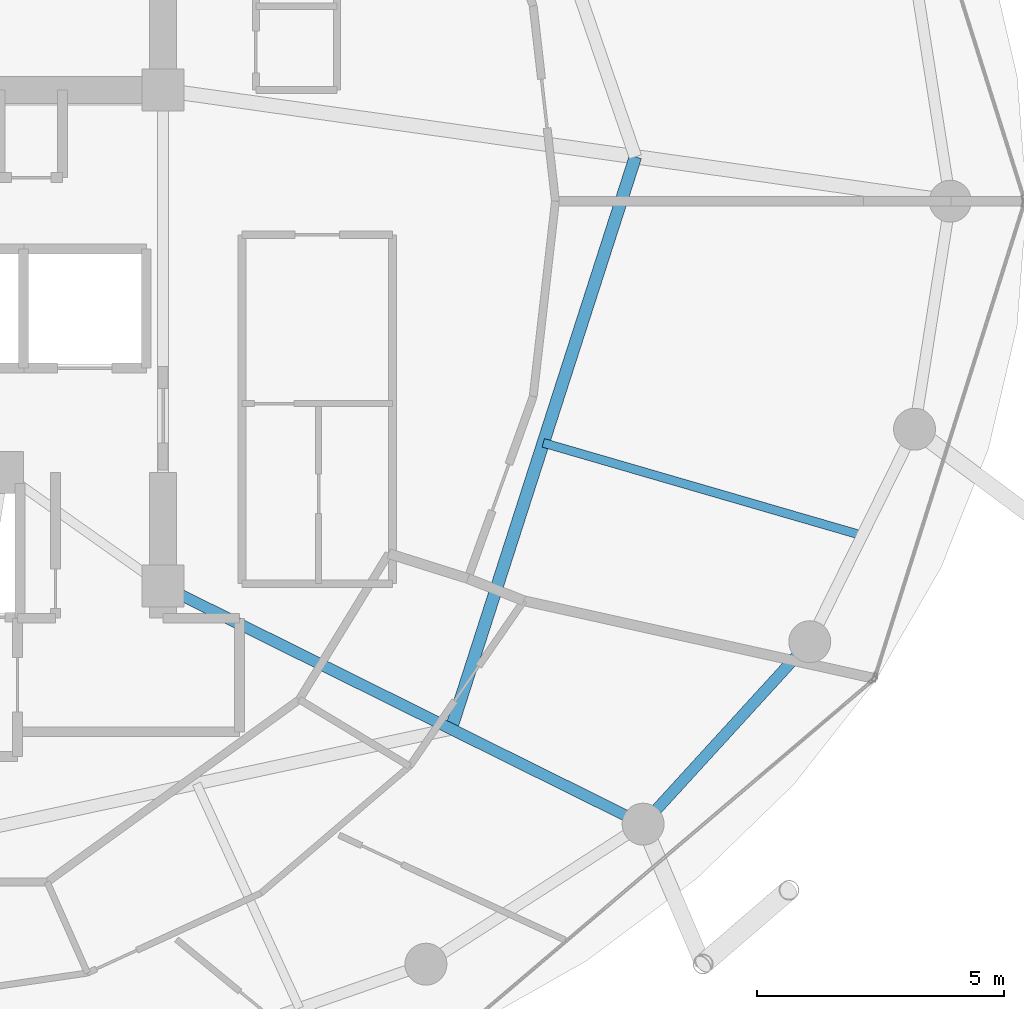
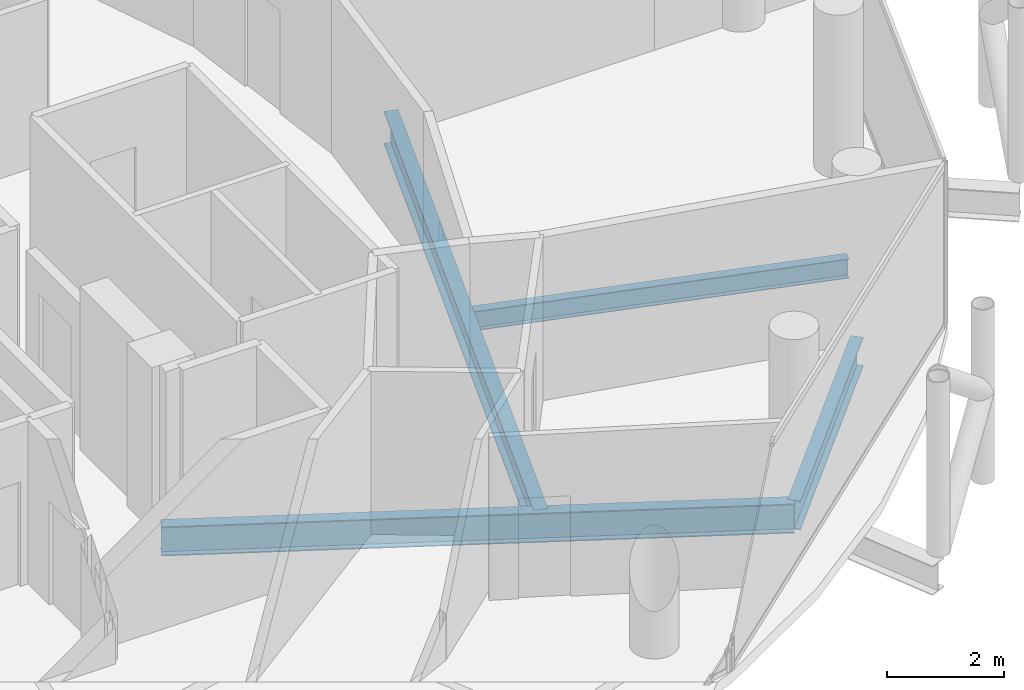
# One storey, part 12 of 27: 4 beams.
"""IFC4 building model written with IfcOpenShell, lengths in metres."""

from ifc_helpers import new_model, si_unit, direction, frame, origin, origin_2d, place, context, subcontext, project, spatial, i_section, extrude, material, material_profile, profile_set, type_object, element, save


model = new_model("IFC4")

# Units and contexts
model_context = context("Model", 3, precision=1e-05, world=origin(), true_north=direction((0.0, 1.0)))
body_context = subcontext(model_context, "Body", "Model", "MODEL_VIEW")
ifc_project = project(units=[si_unit("LENGTHUNIT", "METRE"), si_unit("AREAUNIT", "SQUARE_METRE"), si_unit("VOLUMEUNIT", "CUBIC_METRE"), si_unit("PLANEANGLEUNIT", "RADIAN"), si_unit("MASSUNIT", "GRAM", prefix="KILO")], contexts=[model_context])

# Site, building, storey
site_placement = place(None, origin())
site = spatial("IfcSite", under=ifc_project, at=site_placement, CompositionType="ELEMENT")
building_placement = place(site_placement, origin())
building = spatial("IfcBuilding", under=site, at=building_placement, Name="Nuhasar Tower", CompositionType="ELEMENT")
storey_placement = place(building_placement, frame((0.0, 0.0, 230.050048828125)))
storey = spatial("IfcBuildingStorey", under=building, at=storey_placement, Name="L56", CompositionType="ELEMENT", Elevation=230.050048828125)

# Beams
ifc_material = material(Name="Steel S355", Category="steel")
ifc_material_profile_1 = material_profile(ifc_material, i_section(OverallWidth=0.25390625, OverallDepth=0.68408203125, WebThickness=0.012451171875, FlangeThickness=0.018798828125, at=origin_2d()), Name="W27X94")
ifc_profile_set_1 = profile_set([ifc_material_profile_1], Name="Steel S355")
beam_type_1 = type_object("IfcBeamType", Name="BM-INRING-W27X94", PredefinedType="BEAM", material=ifc_profile_set_1)
beam_1_placement = place(storey_placement, frame((50.135986328125, 16.10693359375, -0.58203125), z_axis=(0.306589852134, 0.951841721385, 0.0), x_axis=(-0.951841721385, 0.306589852134, 0.0)))
element("IfcBeam", 1, at=beam_1_placement, inside=storey, type_object=beam_type_1, Name="L56 Inner Header Beam 03", PredefinedType="BEAM", context=body_context, shape_type="SweptSolid", body=[
    extrude(i_section(OverallWidth=0.25390625, OverallDepth=0.68408203125, WebThickness=0.012451171875, FlangeThickness=0.018798828125, at=origin_2d()), origin(), (0.0, 0.0, 1.0), 12.179443359375),
])
ifc_material_profile_2 = material_profile(ifc_material, i_section(OverallWidth=0.177978515625, OverallDepth=0.406005859375, WebThickness=0.0078125, FlangeThickness=0.0126953125, at=origin_2d()), Name="W16X40")
ifc_profile_set_2 = profile_set([ifc_material_profile_2], Name="Steel S355")
beam_type_2 = type_object("IfcBeamType", Name="BM-JST-W16X40", PredefinedType="JOIST", material=ifc_profile_set_2)
beam_2_placement = place(storey_placement, frame((52.0029296875, 21.904052734375, -0.443115234375), z_axis=(0.960312689798, -0.27892568511, 0.0), x_axis=(0.27892568511, 0.960312689798, 0.0)))
element("IfcBeam", 2, at=beam_2_placement, inside=storey, type_object=beam_type_2, Name="L56 Secondary Floor Joist 03", PredefinedType="JOIST", context=body_context, shape_type="SweptSolid", body=[
    extrude(i_section(OverallWidth=0.177978515625, OverallDepth=0.406005859375, WebThickness=0.0078125, FlangeThickness=0.0126953125, at=origin_2d()), origin(), (0.0, 0.0, 1.0), 6.729248046875),
])
ifc_material_profile_3 = material_profile(ifc_material, i_section(OverallWidth=0.22900390625, OverallDepth=0.612060546875, WebThickness=0.011962890625, FlangeThickness=0.01953125, at=origin_2d()), Name="W24X84")
ifc_profile_set_3 = profile_set([ifc_material_profile_3], Name="Steel S355")
beam_type_3 = type_object("IfcBeamType", Name="BM-RAD-W24X84", PredefinedType="BEAM", material=ifc_profile_set_3)
beam_3_placement = place(storey_placement, frame((44.300048828125, 19.0, -0.546142578125), z_axis=(0.895928935233, -0.444197414459, 0.0), x_axis=(0.444197414459, 0.895928935233, 0.0)))
element("IfcBeam", 3, at=beam_3_placement, inside=storey, type_object=beam_type_3, Name="L56 Radial Floor Girder 03", PredefinedType="BEAM", context=body_context, shape_type="SweptSolid", body=[
    extrude(i_section(OverallWidth=0.22900390625, OverallDepth=0.612060546875, WebThickness=0.011962890625, FlangeThickness=0.01953125, at=origin_2d()), origin(), (0.0, 0.0, 1.0), 10.85546875),
])
ifc_material_profile_4 = material_profile(ifc_material, i_section(OverallWidth=0.22802734375, OverallDepth=0.60791015625, WebThickness=0.01123046875, FlangeThickness=0.017333984375, at=origin_2d()), Name="W24X76")
ifc_profile_set_4 = profile_set([ifc_material_profile_4], Name="Steel S355")
beam_type_4 = type_object("IfcBeamType", Name="BM-RING-W24X76", PredefinedType="SPANDREL", material=ifc_profile_set_4)
beam_4_placement = place(storey_placement, frame((54.02587890625, 14.177978515625, -0.5439453125), z_axis=(0.674449692975, 0.738320805373, 0.0), x_axis=(-0.738320805373, 0.674449692975, 0.0)))
element("IfcBeam", 4, at=beam_4_placement, inside=storey, type_object=beam_type_4, Name="L56 Perimeter Ring Spandrel 22", PredefinedType="SPANDREL", context=body_context, shape_type="SweptSolid", body=[
    extrude(i_section(OverallWidth=0.22802734375, OverallDepth=0.60791015625, WebThickness=0.01123046875, FlangeThickness=0.017333984375, at=origin_2d()), origin(), (0.0, 0.0, 1.0), 5.00732421875),
])

save(model, "model.ifc")
